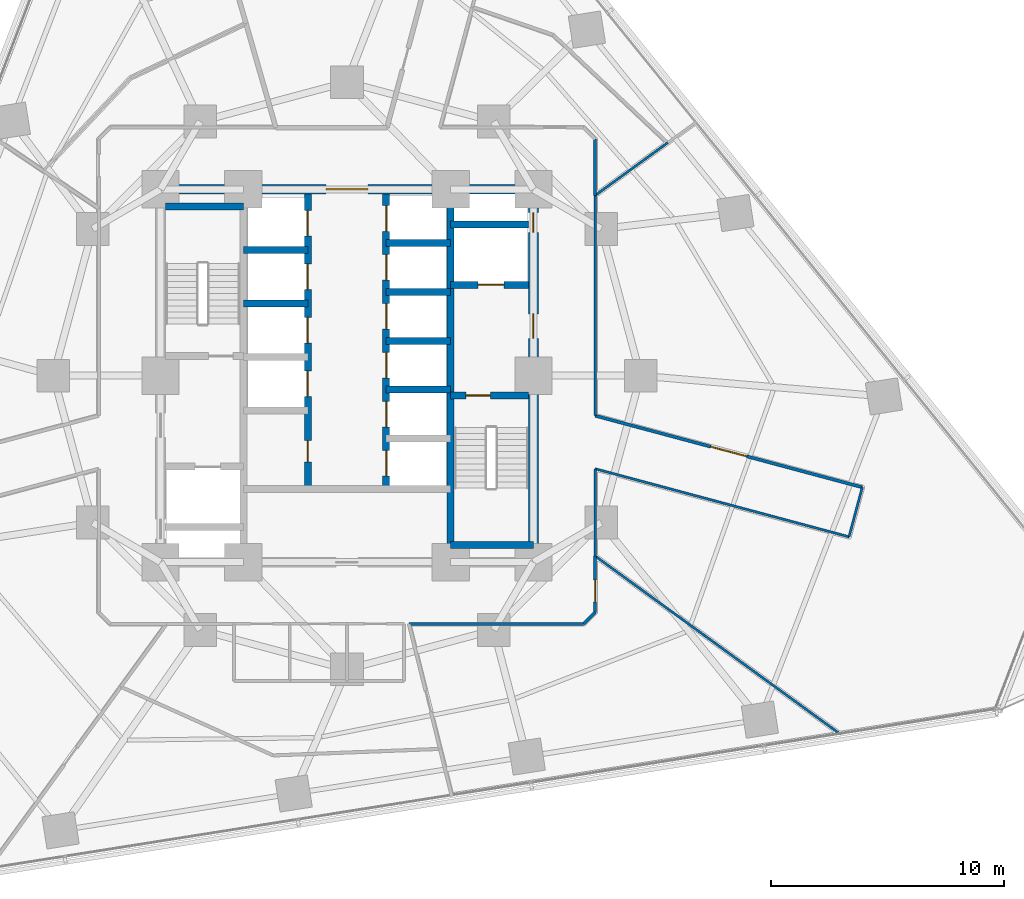
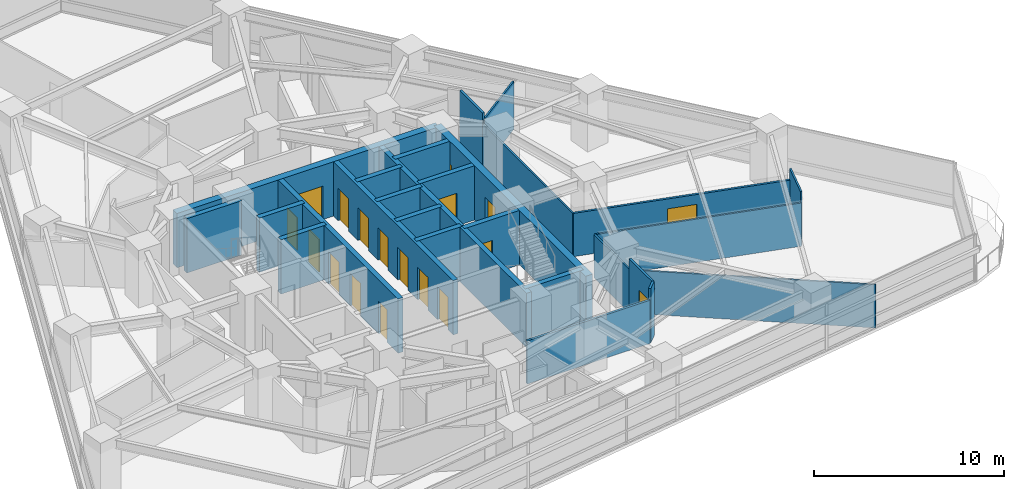
# One storey, part 8 of 13: 27 walls, 18 doors, 18 openings.
"""IFC4 building model written with IfcOpenShell, lengths in metres."""

from ifc_helpers import new_model, si_unit, direction, frame, frame_2d, origin, place, context, subcontext, project, spatial, rectangle, extrude, material, layer, layer_set, type_object, element, fill, save


model = new_model("IFC4")

# Units and contexts
model_context = context("Model", 3, precision=1e-05, world=origin(), true_north=direction((0.0, 1.0)))
body_context = subcontext(model_context, "Body", "Model", "MODEL_VIEW")
ifc_project = project(units=[si_unit("LENGTHUNIT", "METRE"), si_unit("AREAUNIT", "SQUARE_METRE"), si_unit("VOLUMEUNIT", "CUBIC_METRE"), si_unit("PLANEANGLEUNIT", "RADIAN"), si_unit("MASSUNIT", "GRAM", prefix="KILO")], contexts=[model_context])

# Site, building, storey
site_placement = place(None, origin())
site = spatial("IfcSite", under=ifc_project, at=site_placement, CompositionType="ELEMENT")
building_placement = place(site_placement, origin())
building = spatial("IfcBuilding", under=site, at=building_placement, Name="Terralouvre Media Tower", CompositionType="ELEMENT")
storey_placement = place(building_placement, frame((0.0, 0.0, 55.60009765625)))
storey = spatial("IfcBuildingStorey", under=building, at=storey_placement, Name="L13", CompositionType="ELEMENT", Elevation=55.60009765625)

# Walls
ifc_material_1 = material(Name="Concrete C50/60", Category="concrete")
ifc_layer_1 = layer(ifc_material_1, 0.300048828125, Name="Core Internal Shaft Wall CW-300")
ifc_layer_set_1 = layer_set([ifc_layer_1], Name="Concrete C50/60")
wall_type_1 = type_object("IfcWallType", Name="Core Internal Shaft Wall CW-300", PredefinedType="SHEAR", material=ifc_layer_set_1)
wall_1_placement = place(storey_placement, frame((4.449951171875, -7.7900390625, 0.0), z_axis=(0.0, 0.0, 1.0), x_axis=(0.0, 1.0, 0.0)))
element("IfcWall", 1, at=wall_1_placement, inside=storey, type_object=wall_type_1, Name="L13 Core Shaft Wall SPE", PredefinedType="SHEAR", context=body_context, shape_type="SweptSolid", body=[
    extrude(rectangle(XDim=15.580078125, YDim=0.300048828125, at=frame_2d((7.7900390625, 0.0))), origin(), (0.0, 0.0, 1.0), 3.5),
])
wall_2_placement = place(storey_placement, frame((-7.7900390625, 7.260009765625, 0.0), z_axis=(0.0, 0.0, 1.0), x_axis=(1.0, 0.0, 0.0)))
element("IfcWall", 2, at=wall_2_placement, inside=storey, type_object=wall_type_1, Name="L13 Core Shaft Wall ST1F", PredefinedType="SHEAR", context=body_context, shape_type="SweptSolid", body=[
    extrude(rectangle(XDim=3.340087890625, YDim=0.300048828125, at=frame_2d((1.669921875, 0.0))), origin(), (0.0, 0.0, 1.0), 3.5),
])

# Wall, opening, door
wall_3_placement = place(storey_placement, frame((4.449951171875, -0.85009765625, 0.0), z_axis=(0.0, 0.0, 1.0), x_axis=(1.0, 0.0, 0.0)))
wall_3 = element("IfcWall", 3, at=wall_3_placement, inside=storey, type_object=wall_type_1, Name="L13 Core Shaft Wall ST2D", PredefinedType="SHEAR", context=body_context, shape_type="SweptSolid", body=[
    extrude(rectangle(XDim=3.340087890625, YDim=0.300048828125, at=frame_2d((1.669921875, 0.0))), origin(), (0.0, 0.0, 1.0), 3.5),
])
opening_1_placement = place(wall_3_placement, frame((0.64990234375, 0.0, 0.0)))
opening_1 = element("IfcOpeningElement", 4, at=opening_1_placement, cuts=wall_3, Name="Opening FD-01-105X215", PredefinedType="OPENING", context=body_context, shape_type="SweptSolid", body=[
    extrude(rectangle(XDim=1.050048828125, YDim=2.14990234375, at=frame_2d((0.52490234375, 1.074951171875))), frame((0.0, 0.159912109375, 0.0), z_axis=(0.0, -1.0, 0.0), x_axis=(1.0, 0.0, 0.0)), (0.0, 0.0, 1.0), 0.320068359375),
])
ifc_material_2 = material(Name="Galvanised steel fire-resisting leaf", Category="steel")
door_type_1 = type_object("IfcDoorType", Name="Stair and Firefighting Lobby Fire Door FD-01 (1050x2150)", OperationType="NOTDEFINED", PredefinedType="DOOR", material=ifc_material_2)
door_1_placement = place(opening_1_placement, origin())
door_1 = element("IfcDoor", 5, at=door_1_placement, inside=storey, type_object=door_type_1, Name="L13 ST-02 Exit Stair Door", OperationType="SINGLE_SWING_RIGHT", OverallHeight=2.14990234375, OverallWidth=1.050048828125, PredefinedType="DOOR", context=body_context, shape_type="SweptSolid", body=[
    extrude(rectangle(XDim=1.050048828125, YDim=2.14990234375, at=frame_2d((0.52490234375, 1.074951171875))), frame((0.0, 0.02490234375, 0.0), z_axis=(0.0, -1.0, 0.0), x_axis=(1.0, 0.0, 0.0)), (0.0, 0.0, 1.0), 0.050048828125),
])
fill(opening_1, door_1)

# Wall
wall_4_placement = place(storey_placement, frame((4.449951171875, -7.260009765625, 0.0), z_axis=(0.0, 0.0, 1.0), x_axis=(1.0, 0.0, 0.0)))
element("IfcWall", 6, at=wall_4_placement, inside=storey, type_object=wall_type_1, Name="L13 Core Shaft Wall ST2F", PredefinedType="SHEAR", context=body_context, shape_type="SweptSolid", body=[
    extrude(rectangle(XDim=3.550048828125, YDim=0.300048828125, at=frame_2d((1.77490234375, 0.0))), origin(), (0.0, 0.0, 1.0), 3.5),
])

# Wall, opening, door
wall_5_placement = place(storey_placement, frame((4.449951171875, 3.89990234375, 0.0), z_axis=(0.0, 0.0, 1.0), x_axis=(1.0, 0.0, 0.0)))
wall_5 = element("IfcWall", 7, at=wall_5_placement, inside=storey, type_object=wall_type_1, Name="L13 Core Shaft Wall FF2S", PredefinedType="SHEAR", context=body_context, shape_type="SweptSolid", body=[
    extrude(rectangle(XDim=3.340087890625, YDim=0.300048828125, at=frame_2d((1.669921875, 0.0))), origin(), (0.0, 0.0, 1.0), 3.5),
])
opening_2_placement = place(wall_5_placement, frame((1.179931640625, 0.0, 0.0)))
opening_2 = element("IfcOpeningElement", 8, at=opening_2_placement, cuts=wall_5, Name="Opening LD-FF", PredefinedType="OPENING", context=body_context, shape_type="SweptSolid", body=[
    extrude(rectangle(XDim=1.10009765625, YDim=2.10009765625, at=frame_2d((0.550048828125, 1.050048828125))), frame((0.0, 0.159912109375, 0.0), z_axis=(0.0, -1.0, 0.0), x_axis=(1.0, 0.0, 0.0)), (0.0, 0.0, 1.0), 0.320068359375),
])
ifc_material_3 = material(Name="Stainless steel 316 handrail and balustrade", Category="steel")
door_type_2 = type_object("IfcDoorType", Name="Firefighting Lift Sliding Landing Door LD-FF", OperationType="SLIDING_TO_LEFT", PredefinedType="DOOR", material=ifc_material_3)
door_2_placement = place(opening_2_placement, origin())
door_2 = element("IfcDoor", 9, at=door_2_placement, inside=storey, type_object=door_type_2, Name="L13 Firefighting Lift FFL-02 Landing Door", OperationType="SLIDING_TO_LEFT", OverallHeight=2.10009765625, OverallWidth=1.10009765625, PredefinedType="DOOR", context=body_context, shape_type="SweptSolid", body=[
    extrude(rectangle(XDim=1.10009765625, YDim=2.10009765625, at=frame_2d((0.550048828125, 1.050048828125))), frame((0.0, 0.02490234375, 0.0), z_axis=(0.0, -1.0, 0.0), x_axis=(1.0, 0.0, 0.0)), (0.0, 0.0, 1.0), 0.050048828125),
])
fill(opening_2, door_2)

# Wall
wall_6_placement = place(storey_placement, frame((4.449951171875, 6.5, 0.0), z_axis=(0.0, 0.0, 1.0), x_axis=(1.0, 0.0, 0.0)))
element("IfcWall", 10, at=wall_6_placement, inside=storey, type_object=wall_type_1, Name="L13 Core Shaft Wall FF2N", PredefinedType="SHEAR", context=body_context, shape_type="SweptSolid", body=[
    extrude(rectangle(XDim=3.340087890625, YDim=0.300048828125, at=frame_2d((1.669921875, 0.0))), origin(), (0.0, 0.0, 1.0), 3.5),
])

# Wall, openings, doors
wall_7_placement = place(storey_placement, frame((-1.679931640625, -4.85009765625, 0.0), z_axis=(0.0, 0.0, 1.0), x_axis=(0.0, 1.0, 0.0)))
wall_7 = element("IfcWall", 11, at=wall_7_placement, inside=storey, type_object=wall_type_1, Name="L13 Core Shaft Wall LBW", PredefinedType="SHEAR", context=body_context, shape_type="SweptSolid", body=[
    extrude(rectangle(XDim=12.64013671875, YDim=0.300048828125, at=frame_2d((6.320068359375, 0.0))), origin(), (0.0, 0.0, 1.0), 3.5),
])
opening_3_placement = place(wall_7_placement, frame((3.949951171875, 0.0, 0.0)))
opening_3 = element("IfcOpeningElement", 12, at=opening_3_placement, cuts=wall_7, Name="Opening LD-PL", PredefinedType="OPENING", context=body_context, shape_type="SweptSolid", body=[
    extrude(rectangle(XDim=1.10009765625, YDim=2.10009765625, at=frame_2d((0.550048828125, 1.050048828125))), frame((0.0, 0.159912109375, 0.0), z_axis=(0.0, -1.0, 0.0), x_axis=(1.0, 0.0, 0.0)), (0.0, 0.0, 1.0), 0.320068359375),
])
opening_4_placement = place(wall_7_placement, frame((6.25, 0.0, 0.0)))
opening_4 = element("IfcOpeningElement", 13, at=opening_4_placement, cuts=wall_7, Name="Opening LD-PL", PredefinedType="OPENING", context=body_context, shape_type="SweptSolid", body=[
    extrude(rectangle(XDim=1.10009765625, YDim=2.10009765625, at=frame_2d((0.550048828125, 1.050048828125))), frame((0.0, 0.159912109375, 0.0), z_axis=(0.0, -1.0, 0.0), x_axis=(1.0, 0.0, 0.0)), (0.0, 0.0, 1.0), 0.320068359375),
])
opening_5_placement = place(wall_7_placement, frame((8.550048828125, 0.0, 0.0)))
opening_5 = element("IfcOpeningElement", 14, at=opening_5_placement, cuts=wall_7, Name="Opening LD-PL", PredefinedType="OPENING", context=body_context, shape_type="SweptSolid", body=[
    extrude(rectangle(XDim=1.10009765625, YDim=2.10009765625, at=frame_2d((0.550048828125, 1.050048828125))), frame((0.0, 0.159912109375, 0.0), z_axis=(0.0, -1.0, 0.0), x_axis=(1.0, 0.0, 0.0)), (0.0, 0.0, 1.0), 0.320068359375),
])
opening_6_placement = place(wall_7_placement, frame((10.85009765625, 0.0, 0.0)))
opening_6 = element("IfcOpeningElement", 15, at=opening_6_placement, cuts=wall_7, Name="Opening LD-PL", PredefinedType="OPENING", context=body_context, shape_type="SweptSolid", body=[
    extrude(rectangle(XDim=1.10009765625, YDim=2.10009765625, at=frame_2d((0.550048828125, 1.050048828125))), frame((0.0, 0.159912109375, 0.0), z_axis=(0.0, -1.0, 0.0), x_axis=(1.0, 0.0, 0.0)), (0.0, 0.0, 1.0), 0.320068359375),
])
opening_7_placement = place(wall_7_placement, frame((1.14990234375, 0.0, 0.0)))
opening_7 = element("IfcOpeningElement", 16, at=opening_7_placement, cuts=wall_7, Name="Opening FD-05-92X210", PredefinedType="OPENING", context=body_context, shape_type="SweptSolid", body=[
    extrude(rectangle(XDim=0.919921875, YDim=2.10009765625, at=frame_2d((0.4599609375, 1.050048828125))), frame((0.0, 0.159912109375, 0.0), z_axis=(0.0, -1.0, 0.0), x_axis=(1.0, 0.0, 0.0)), (0.0, 0.0, 1.0), 0.320068359375),
])
ifc_material_4 = material(Name="Galvanised steel fire-resisting leaf", Category="steel")
door_type_3 = type_object("IfcDoorType", Name="Core Accessible Closet Fire Door FD-05 (920x2100)", OperationType="NOTDEFINED", PredefinedType="DOOR", material=ifc_material_4)
door_3_placement = place(opening_7_placement, origin())
door_3 = element("IfcDoor", 17, at=door_3_placement, inside=storey, type_object=door_type_3, Name="L13 Core Cleaners Closet Door", OperationType="SINGLE_SWING_LEFT", OverallHeight=2.10009765625, OverallWidth=0.919921875, PredefinedType="DOOR", context=body_context, shape_type="SweptSolid", body=[
    extrude(rectangle(XDim=0.919921875, YDim=2.10009765625, at=frame_2d((0.4599609375, 1.050048828125))), frame((0.0, 0.02490234375, 0.0), z_axis=(0.0, -1.0, 0.0), x_axis=(1.0, 0.0, 0.0)), (0.0, 0.0, 1.0), 0.050048828125),
])
fill(opening_7, door_3)
ifc_material_5 = material(Name="Stainless steel 316 handrail and balustrade", Category="steel")
door_type_4 = type_object("IfcDoorType", Name="Passenger Lift Sliding Landing Door LD-PL", OperationType="SLIDING_TO_LEFT", PredefinedType="DOOR", material=ifc_material_5)
door_4_placement = place(opening_3_placement, origin())
door_4 = element("IfcDoor", 18, at=door_4_placement, inside=storey, type_object=door_type_4, Name="L13 Low-Rise Lift PL-L1 Landing Door", OperationType="SLIDING_TO_LEFT", OverallHeight=2.10009765625, OverallWidth=1.10009765625, PredefinedType="DOOR", context=body_context, shape_type="SweptSolid", body=[
    extrude(rectangle(XDim=1.10009765625, YDim=2.10009765625, at=frame_2d((0.550048828125, 1.050048828125))), frame((0.0, 0.02490234375, 0.0), z_axis=(0.0, -1.0, 0.0), x_axis=(1.0, 0.0, 0.0)), (0.0, 0.0, 1.0), 0.050048828125),
])
fill(opening_3, door_4)
door_5_placement = place(opening_4_placement, origin())
door_5 = element("IfcDoor", 19, at=door_5_placement, inside=storey, type_object=door_type_4, Name="L13 Low-Rise Lift PL-L2 Landing Door", OperationType="SLIDING_TO_LEFT", OverallHeight=2.10009765625, OverallWidth=1.10009765625, PredefinedType="DOOR", context=body_context, shape_type="SweptSolid", body=[
    extrude(rectangle(XDim=1.10009765625, YDim=2.10009765625, at=frame_2d((0.550048828125, 1.050048828125))), frame((0.0, 0.02490234375, 0.0), z_axis=(0.0, -1.0, 0.0), x_axis=(1.0, 0.0, 0.0)), (0.0, 0.0, 1.0), 0.050048828125),
])
fill(opening_4, door_5)
door_6_placement = place(opening_5_placement, origin())
door_6 = element("IfcDoor", 20, at=door_6_placement, inside=storey, type_object=door_type_4, Name="L13 Low-Rise Lift PL-L3 Landing Door", OperationType="SLIDING_TO_LEFT", OverallHeight=2.10009765625, OverallWidth=1.10009765625, PredefinedType="DOOR", context=body_context, shape_type="SweptSolid", body=[
    extrude(rectangle(XDim=1.10009765625, YDim=2.10009765625, at=frame_2d((0.550048828125, 1.050048828125))), frame((0.0, 0.02490234375, 0.0), z_axis=(0.0, -1.0, 0.0), x_axis=(1.0, 0.0, 0.0)), (0.0, 0.0, 1.0), 0.050048828125),
])
fill(opening_5, door_6)
door_7_placement = place(opening_6_placement, origin())
door_7 = element("IfcDoor", 21, at=door_7_placement, inside=storey, type_object=door_type_4, Name="L13 Low-Rise Lift PL-L4 Landing Door", OperationType="SLIDING_TO_LEFT", OverallHeight=2.10009765625, OverallWidth=1.10009765625, PredefinedType="DOOR", context=body_context, shape_type="SweptSolid", body=[
    extrude(rectangle(XDim=1.10009765625, YDim=2.10009765625, at=frame_2d((0.550048828125, 1.050048828125))), frame((0.0, 0.02490234375, 0.0), z_axis=(0.0, -1.0, 0.0), x_axis=(1.0, 0.0, 0.0)), (0.0, 0.0, 1.0), 0.050048828125),
])
fill(opening_6, door_7)

wall_8_placement = place(storey_placement, frame((1.679931640625, -4.85009765625, 0.0), z_axis=(0.0, 0.0, 1.0), x_axis=(0.0, 1.0, 0.0)))
wall_8 = element("IfcWall", 22, at=wall_8_placement, inside=storey, type_object=wall_type_1, Name="L13 Core Shaft Wall LBE", PredefinedType="SHEAR", context=body_context, shape_type="SweptSolid", body=[
    extrude(rectangle(XDim=12.64013671875, YDim=0.300048828125, at=frame_2d((6.320068359375, 0.0))), origin(), (0.0, 0.0, 1.0), 3.5),
])
opening_8_placement = place(wall_8_placement, frame((0.550048828125, 0.0, 0.0)))
opening_8 = element("IfcOpeningElement", 23, at=opening_8_placement, cuts=wall_8, Name="Opening LD-PL", PredefinedType="OPENING", context=body_context, shape_type="SweptSolid", body=[
    extrude(rectangle(XDim=1.10009765625, YDim=2.10009765625, at=frame_2d((0.550048828125, 1.050048828125))), frame((0.0, 0.159912109375, 0.0), z_axis=(0.0, -1.0, 0.0), x_axis=(1.0, 0.0, 0.0)), (0.0, 0.0, 1.0), 0.320068359375),
])
opening_9_placement = place(wall_8_placement, frame((2.64990234375, 0.0, 0.0)))
opening_9 = element("IfcOpeningElement", 24, at=opening_9_placement, cuts=wall_8, Name="Opening LD-PL", PredefinedType="OPENING", context=body_context, shape_type="SweptSolid", body=[
    extrude(rectangle(XDim=1.10009765625, YDim=2.10009765625, at=frame_2d((0.550048828125, 1.050048828125))), frame((0.0, 0.159912109375, 0.0), z_axis=(0.0, -1.0, 0.0), x_axis=(1.0, 0.0, 0.0)), (0.0, 0.0, 1.0), 0.320068359375),
])
opening_10_placement = place(wall_8_placement, frame((4.75, 0.0, 0.0)))
opening_10 = element("IfcOpeningElement", 25, at=opening_10_placement, cuts=wall_8, Name="Opening LD-PL", PredefinedType="OPENING", context=body_context, shape_type="SweptSolid", body=[
    extrude(rectangle(XDim=1.10009765625, YDim=2.10009765625, at=frame_2d((0.550048828125, 1.050048828125))), frame((0.0, 0.159912109375, 0.0), z_axis=(0.0, -1.0, 0.0), x_axis=(1.0, 0.0, 0.0)), (0.0, 0.0, 1.0), 0.320068359375),
])
opening_11_placement = place(wall_8_placement, frame((6.85009765625, 0.0, 0.0)))
opening_11 = element("IfcOpeningElement", 26, at=opening_11_placement, cuts=wall_8, Name="Opening LD-PL", PredefinedType="OPENING", context=body_context, shape_type="SweptSolid", body=[
    extrude(rectangle(XDim=1.10009765625, YDim=2.10009765625, at=frame_2d((0.550048828125, 1.050048828125))), frame((0.0, 0.159912109375, 0.0), z_axis=(0.0, -1.0, 0.0), x_axis=(1.0, 0.0, 0.0)), (0.0, 0.0, 1.0), 0.320068359375),
])
opening_12_placement = place(wall_8_placement, frame((8.949951171875, 0.0, 0.0)))
opening_12 = element("IfcOpeningElement", 27, at=opening_12_placement, cuts=wall_8, Name="Opening LD-PL", PredefinedType="OPENING", context=body_context, shape_type="SweptSolid", body=[
    extrude(rectangle(XDim=1.10009765625, YDim=2.10009765625, at=frame_2d((0.550048828125, 1.050048828125))), frame((0.0, 0.159912109375, 0.0), z_axis=(0.0, -1.0, 0.0), x_axis=(1.0, 0.0, 0.0)), (0.0, 0.0, 1.0), 0.320068359375),
])
opening_13_placement = place(wall_8_placement, frame((11.050048828125, 0.0, 0.0)))
opening_13 = element("IfcOpeningElement", 28, at=opening_13_placement, cuts=wall_8, Name="Opening LD-PL", PredefinedType="OPENING", context=body_context, shape_type="SweptSolid", body=[
    extrude(rectangle(XDim=1.10009765625, YDim=2.10009765625, at=frame_2d((0.550048828125, 1.050048828125))), frame((0.0, 0.159912109375, 0.0), z_axis=(0.0, -1.0, 0.0), x_axis=(1.0, 0.0, 0.0)), (0.0, 0.0, 1.0), 0.320068359375),
])
door_8_placement = place(opening_8_placement, origin())
door_8 = element("IfcDoor", 29, at=door_8_placement, inside=storey, type_object=door_type_4, Name="L13 High-Rise Lift PL-H1 Landing Door", OperationType="SLIDING_TO_LEFT", OverallHeight=2.10009765625, OverallWidth=1.10009765625, PredefinedType="DOOR", context=body_context, shape_type="SweptSolid", body=[
    extrude(rectangle(XDim=1.10009765625, YDim=2.10009765625, at=frame_2d((0.550048828125, 1.050048828125))), frame((0.0, 0.02490234375, 0.0), z_axis=(0.0, -1.0, 0.0), x_axis=(1.0, 0.0, 0.0)), (0.0, 0.0, 1.0), 0.050048828125),
])
fill(opening_8, door_8)
door_9_placement = place(opening_9_placement, origin())
door_9 = element("IfcDoor", 30, at=door_9_placement, inside=storey, type_object=door_type_4, Name="L13 High-Rise Lift PL-H2 Landing Door", OperationType="SLIDING_TO_LEFT", OverallHeight=2.10009765625, OverallWidth=1.10009765625, PredefinedType="DOOR", context=body_context, shape_type="SweptSolid", body=[
    extrude(rectangle(XDim=1.10009765625, YDim=2.10009765625, at=frame_2d((0.550048828125, 1.050048828125))), frame((0.0, 0.02490234375, 0.0), z_axis=(0.0, -1.0, 0.0), x_axis=(1.0, 0.0, 0.0)), (0.0, 0.0, 1.0), 0.050048828125),
])
fill(opening_9, door_9)
door_10_placement = place(opening_10_placement, origin())
door_10 = element("IfcDoor", 31, at=door_10_placement, inside=storey, type_object=door_type_4, Name="L13 High-Rise Lift PL-H3 Landing Door", OperationType="SLIDING_TO_LEFT", OverallHeight=2.10009765625, OverallWidth=1.10009765625, PredefinedType="DOOR", context=body_context, shape_type="SweptSolid", body=[
    extrude(rectangle(XDim=1.10009765625, YDim=2.10009765625, at=frame_2d((0.550048828125, 1.050048828125))), frame((0.0, 0.02490234375, 0.0), z_axis=(0.0, -1.0, 0.0), x_axis=(1.0, 0.0, 0.0)), (0.0, 0.0, 1.0), 0.050048828125),
])
fill(opening_10, door_10)
door_11_placement = place(opening_11_placement, origin())
door_11 = element("IfcDoor", 32, at=door_11_placement, inside=storey, type_object=door_type_4, Name="L13 Mid-Rise Lift PL-M1 Landing Door", OperationType="SLIDING_TO_LEFT", OverallHeight=2.10009765625, OverallWidth=1.10009765625, PredefinedType="DOOR", context=body_context, shape_type="SweptSolid", body=[
    extrude(rectangle(XDim=1.10009765625, YDim=2.10009765625, at=frame_2d((0.550048828125, 1.050048828125))), frame((0.0, 0.02490234375, 0.0), z_axis=(0.0, -1.0, 0.0), x_axis=(1.0, 0.0, 0.0)), (0.0, 0.0, 1.0), 0.050048828125),
])
fill(opening_11, door_11)
door_12_placement = place(opening_12_placement, origin())
door_12 = element("IfcDoor", 33, at=door_12_placement, inside=storey, type_object=door_type_4, Name="L13 Mid-Rise Lift PL-M2 Landing Door", OperationType="SLIDING_TO_LEFT", OverallHeight=2.10009765625, OverallWidth=1.10009765625, PredefinedType="DOOR", context=body_context, shape_type="SweptSolid", body=[
    extrude(rectangle(XDim=1.10009765625, YDim=2.10009765625, at=frame_2d((0.550048828125, 1.050048828125))), frame((0.0, 0.02490234375, 0.0), z_axis=(0.0, -1.0, 0.0), x_axis=(1.0, 0.0, 0.0)), (0.0, 0.0, 1.0), 0.050048828125),
])
fill(opening_12, door_12)
door_13_placement = place(opening_13_placement, origin())
door_13 = element("IfcDoor", 34, at=door_13_placement, inside=storey, type_object=door_type_4, Name="L13 Mid-Rise Lift PL-M3 Landing Door", OperationType="SLIDING_TO_LEFT", OverallHeight=2.10009765625, OverallWidth=1.10009765625, PredefinedType="DOOR", context=body_context, shape_type="SweptSolid", body=[
    extrude(rectangle(XDim=1.10009765625, YDim=2.10009765625, at=frame_2d((0.550048828125, 1.050048828125))), frame((0.0, 0.02490234375, 0.0), z_axis=(0.0, -1.0, 0.0), x_axis=(1.0, 0.0, 0.0)), (0.0, 0.0, 1.0), 0.050048828125),
])
fill(opening_13, door_13)

# Walls
for number, where, z_axis, x_axis, name in (
    (35, (-4.449951171875, 3.10009765625, 0.0), (0.0, 0.0, 1.0), (1.0, 0.0, 0.0), "L13 Core Shaft Wall PLLD2"),
    (36, (-4.449951171875, 5.39990234375, 0.0), (0.0, 0.0, 1.0), (1.0, 0.0, 0.0), "L13 Core Shaft Wall PLLD3"),
    (37, (1.679931640625, 1.5, 0.0), (0.0, 0.0, 1.0), (1.0, 0.0, 0.0), "L13 Core Shaft Wall PLMD0"),
    (38, (1.679931640625, 3.60009765625, 0.0), (0.0, 0.0, 1.0), (1.0, 0.0, 0.0), "L13 Core Shaft Wall PLMD1"),
    (39, (1.679931640625, 5.699951171875, 0.0), (0.0, 0.0, 1.0), (1.0, 0.0, 0.0), "L13 Core Shaft Wall PLMD2"),
    (40, (1.679931640625, -0.60009765625, 0.0), (0.0, 0.0, 1.0), (1.0, 0.0, 0.0), "L13 Core Shaft Wall PLHD2"),
):
    element("IfcWall", number, at=place(storey_placement, frame(where, z_axis=z_axis, x_axis=x_axis)), inside=storey, type_object=wall_type_1, Name=name, PredefinedType="SHEAR", context=body_context, shape_type="SweptSolid", body=[
        extrude(rectangle(XDim=2.77001953125, YDim=0.300048828125, at=frame_2d((1.385009765625, 0.0))), origin(), (0.0, 0.0, 1.0), 3.5),
    ])

# Wall, openings, doors
ifc_material_6 = material(Name="Concrete C60/75", Category="concrete")
ifc_layer_2 = layer(ifc_material_6, 0.419921875, Name="Core Reinforced Concrete Shear Wall CW-420")
ifc_layer_set_2 = layer_set([ifc_layer_2], Name="Concrete C60/75")
wall_type_2 = type_object("IfcWallType", Name="Core Reinforced Concrete Shear Wall CW-420", PredefinedType="SHEAR", material=ifc_layer_set_2)
wall_9_placement = place(storey_placement, frame((8.0, -8.0, 0.0), z_axis=(0.0, 0.0, 1.0), x_axis=(0.0, 1.0, 0.0)))
wall_9 = element("IfcWall", 41, at=wall_9_placement, inside=storey, type_object=wall_type_2, Name="L13 E Core Shear Wall", PredefinedType="SHEAR", context=body_context, shape_type="SweptSolid", body=[
    extrude(rectangle(XDim=16.0, YDim=0.419921875, at=frame_2d((8.0, 0.0))), origin(), (0.0, 0.0, 1.0), 3.5),
])
opening_14_placement = place(wall_9_placement, frame((9.60009765625, 0.0, 0.0)))
opening_14 = element("IfcOpeningElement", 42, at=opening_14_placement, cuts=wall_9, Name="Opening FD-01-105X215", PredefinedType="OPENING", context=body_context, shape_type="SweptSolid", body=[
    extrude(rectangle(XDim=1.050048828125, YDim=2.14990234375, at=frame_2d((0.52490234375, 1.074951171875))), frame((0.0, 0.219970703125, 0.0), z_axis=(0.0, -1.0, 0.0), x_axis=(1.0, 0.0, 0.0)), (0.0, 0.0, 1.0), 0.43994140625),
])
opening_15_placement = place(wall_9_placement, frame((14.148193359375, 0.0, 0.0)))
opening_15 = element("IfcOpeningElement", 43, at=opening_15_placement, cuts=wall_9, Name="Opening TD-R1", PredefinedType="OPENING", context=body_context, shape_type="SweptSolid", body=[
    extrude(rectangle(XDim=0.85009765625, YDim=2.02001953125, at=frame_2d((0.425048828125, 1.010009765625))), frame((0.0, 0.219970703125, 0.0), z_axis=(0.0, -1.0, 0.0), x_axis=(1.0, 0.0, 0.0)), (0.0, 0.0, 1.0), 0.43994140625),
])
ifc_material_7 = material(Name="Galvanised steel fire-resisting leaf", Category="steel")
door_type_5 = type_object("IfcDoorType", Name="Riser Inspection Access Trapdoor TD-R1", OperationType="NOTDEFINED", PredefinedType="TRAPDOOR", material=ifc_material_7)
door_14_placement = place(opening_15_placement, origin())
door_14 = element("IfcDoor", 44, at=door_14_placement, inside=storey, type_object=door_type_5, Name="L13 East Comms Riser Access Trapdoor", OperationType="SINGLE_SWING_RIGHT", OverallHeight=2.02001953125, OverallWidth=0.85009765625, PredefinedType="TRAPDOOR", context=body_context, shape_type="SweptSolid", body=[
    extrude(rectangle(XDim=0.85009765625, YDim=2.02001953125, at=frame_2d((0.425048828125, 1.010009765625))), frame((0.0, 0.02490234375, 0.0), z_axis=(0.0, -1.0, 0.0), x_axis=(1.0, 0.0, 0.0)), (0.0, 0.0, 1.0), 0.050048828125),
])
fill(opening_15, door_14)
door_15_placement = place(opening_14_placement, origin())
door_15 = element("IfcDoor", 45, at=door_15_placement, inside=storey, type_object=door_type_1, Name="L13 East Firefighting Lobby Entry Door", OperationType="SINGLE_SWING_LEFT", OverallHeight=2.14990234375, OverallWidth=1.050048828125, PredefinedType="DOOR", context=body_context, shape_type="SweptSolid", body=[
    extrude(rectangle(XDim=1.050048828125, YDim=2.14990234375, at=frame_2d((0.52490234375, 1.074951171875))), frame((0.0, 0.02490234375, 0.0), z_axis=(0.0, -1.0, 0.0), x_axis=(1.0, 0.0, 0.0)), (0.0, 0.0, 1.0), 0.050048828125),
])
fill(opening_14, door_15)

# Wall, opening, door
wall_10_placement = place(storey_placement, frame((-8.0, 8.0, 0.0), z_axis=(0.0, 0.0, 1.0), x_axis=(1.0, 0.0, 0.0)))
wall_10 = element("IfcWall", 46, at=wall_10_placement, inside=storey, type_object=wall_type_2, Name="L13 N Core Shear Wall", PredefinedType="SHEAR", context=body_context, shape_type="SweptSolid", body=[
    extrude(rectangle(XDim=16.0, YDim=0.419921875, at=frame_2d((8.0, 0.0))), origin(), (0.0, 0.0, 1.0), 3.5),
])
opening_16_placement = place(wall_10_placement, frame((7.10009765625, 0.0, 0.0)))
opening_16 = element("IfcOpeningElement", 47, at=opening_16_placement, cuts=wall_10, Name="Opening FD-03", PredefinedType="OPENING", context=body_context, shape_type="SweptSolid", body=[
    extrude(rectangle(XDim=1.800048828125, YDim=2.14990234375, at=frame_2d((0.89990234375, 1.074951171875))), frame((0.0, 0.219970703125, 0.0), z_axis=(0.0, -1.0, 0.0), x_axis=(1.0, 0.0, 0.0)), (0.0, 0.0, 1.0), 0.43994140625),
])
ifc_material_8 = material(Name="Galvanised steel fire-resisting leaf", Category="steel")
door_type_6 = type_object("IfcDoorType", Name="Corridor Smoke-Control Double Door FD-03", OperationType="DOUBLE_DOOR_SINGLE_SWING", PredefinedType="DOOR", material=ifc_material_8)
door_16_placement = place(opening_16_placement, origin())
door_16 = element("IfcDoor", 48, at=door_16_placement, inside=storey, type_object=door_type_6, Name="L13 Central Lift Lobby Portal Door", OperationType="DOUBLE_DOOR_SINGLE_SWING", OverallHeight=2.14990234375, OverallWidth=1.800048828125, PredefinedType="DOOR", context=body_context, shape_type="SweptSolid", body=[
    extrude(rectangle(XDim=1.800048828125, YDim=2.14990234375, at=frame_2d((0.89990234375, 1.074951171875))), frame((0.0, 0.02490234375, 0.0), z_axis=(0.0, -1.0, 0.0), x_axis=(1.0, 0.0, 0.0)), (0.0, 0.0, 1.0), 0.050048828125),
])
fill(opening_16, door_16)

# Walls
ifc_material_9 = material(Name="Low-iron laminated double glazing with solar-control coating", Category="glass")
ifc_layer_3 = layer(ifc_material_9, 0.10009765625, Name="Demountable Glazed Office Partition PT-GL100")
ifc_layer_set_3 = layer_set([ifc_layer_3], Name="Low-iron laminated double glazing with solar-control coating")
wall_type_3 = type_object("IfcWallType", Name="Demountable Glazed Office Partition PT-GL100", PredefinedType="MOVABLE", material=ifc_layer_set_3)
wall_11_placement = place(storey_placement, frame((10.64990234375, -7.738037109375, 0.0), z_axis=(0.0, 0.0, 1.0), x_axis=(0.0, 1.0, 0.0)))
element("IfcWall", 49, at=wall_11_placement, inside=storey, type_object=wall_type_3, Name="L13 Interior Partition 001", PredefinedType="MOVABLE", context=body_context, shape_type="SweptSolid", body=[
    extrude(rectangle(XDim=3.74609375, YDim=0.10009765625, at=frame_2d((1.873046875, 0.0))), origin(), (0.0, 0.0, 1.0), 2.784912109375),
])
wall_12_placement = place(storey_placement, frame((10.64990234375, -3.991943359375, 0.0), z_axis=(0.0, 0.0, 1.0), x_axis=(0.965906888357, -0.258889712088, 0.0)))
element("IfcWall", 50, at=wall_12_placement, inside=storey, type_object=wall_type_3, Name="L13 Interior Partition 002", PredefinedType="MOVABLE", context=body_context, shape_type="SweptSolid", body=[
    extrude(rectangle(XDim=11.279541015625, YDim=0.10009765625, at=frame_2d((5.6396484375, 0.0))), origin(), (0.0, 0.0, 1.0), 2.784912109375),
])
wall_13_placement = place(storey_placement, frame((21.544921875, -6.912109375, 0.0), z_axis=(0.0, 0.0, 1.0), x_axis=(0.259105843213, 0.965848933329, 0.0)))
element("IfcWall", 51, at=wall_13_placement, inside=storey, type_object=wall_type_3, Name="L13 Interior Partition 003", PredefinedType="MOVABLE", context=body_context, shape_type="SweptSolid", body=[
    extrude(rectangle(XDim=2.2001953125, YDim=0.10009765625, at=frame_2d((1.10009765625, 0.0))), origin(), (0.0, 0.0, 1.0), 3.5),
])
wall_14_placement = place(storey_placement, frame((10.64990234375, -1.715087890625, 0.0), z_axis=(0.0, 0.0, 1.0), x_axis=(0.0, 1.0, 0.0)))
element("IfcWall", 52, at=wall_14_placement, inside=storey, type_object=wall_type_3, Name="L13 Interior Partition 005", PredefinedType="MOVABLE", context=body_context, shape_type="SweptSolid", body=[
    extrude(rectangle(XDim=9.453125, YDim=0.10009765625, at=frame_2d((4.7265625, 0.0))), origin(), (0.0, 0.0, 1.0), 2.784912109375),
])
wall_15_placement = place(storey_placement, frame((13.760986328125, 9.998046875, 0.0), z_axis=(0.0, 0.0, 1.0), x_axis=(-0.809057190408, -0.587729923221, 0.0)))
element("IfcWall", 53, at=wall_15_placement, inside=storey, type_object=wall_type_3, Name="L13 Interior Partition 032", PredefinedType="MOVABLE", context=body_context, shape_type="SweptSolid", body=[
    extrude(rectangle(XDim=3.84521484375, YDim=0.10009765625, at=frame_2d((1.922607421875, 0.0))), origin(), (0.0, 0.0, 1.0), 3.0849609375),
])
wall_16_placement = place(storey_placement, frame((10.64990234375, -7.738037109375, 0.0), z_axis=(0.0, 0.0, 1.0), x_axis=(0.809048025811, -0.587742538814, 0.0)))
element("IfcWall", 54, at=wall_16_placement, inside=storey, type_object=wall_type_3, Name="L13 Interior Partition 034", PredefinedType="MOVABLE", context=body_context, shape_type="SweptSolid", body=[
    extrude(rectangle(XDim=13.025390625, YDim=0.10009765625, at=frame_2d((6.5126953125, 0.0))), origin(), (0.0, 0.0, 1.0), 2.784912109375),
])

# Wall, opening, door
ifc_material_10 = material(Name="Fire-rated gypsum board drywall partition")
ifc_layer_4 = layer(ifc_material_10, 0.135009765625, Name="Newsroom Acoustic Partition PT-135")
ifc_layer_set_4 = layer_set([ifc_layer_4], Name="Fire-rated gypsum board drywall partition")
wall_type_4 = type_object("IfcWallType", Name="Newsroom Acoustic Partition PT-135", PredefinedType="PARTITIONING", material=ifc_layer_set_4)
wall_17_placement = place(storey_placement, frame((22.114990234375, -4.787109375, 0.0), z_axis=(0.0, 0.0, 1.0), x_axis=(-0.965926659449, 0.258815935688, 0.0)))
wall_17 = element("IfcWall", 55, at=wall_17_placement, inside=storey, type_object=wall_type_4, Name="L13 Interior Partition 004", PredefinedType="PARTITIONING", context=body_context, shape_type="SweptSolid", body=[
    extrude(rectangle(XDim=11.86962890625, YDim=0.135009765625, at=frame_2d((5.934814453125, 0.0))), origin(), (0.0, 0.0, 1.0), 2.784912109375),
])
opening_17_placement = place(wall_17_placement, frame((5.134765625, 0.0, 0.0)))
opening_17 = element("IfcOpeningElement", 56, at=opening_17_placement, cuts=wall_17, Name="Opening ID-04-160X215", PredefinedType="OPENING", context=body_context, shape_type="SweptSolid", body=[
    extrude(rectangle(XDim=1.60009765625, YDim=2.14990234375, at=frame_2d((0.800048828125, 1.074951171875))), frame((0.0, 0.077392578125, 0.0), z_axis=(0.0, -1.0, 0.0), x_axis=(1.0, 0.0, 0.0)), (0.0, 0.0, 1.0), 0.155029296875),
])
ifc_material_11 = material(Name="Engineered hardwood acoustic timber leaf", Category="wood")
door_type_7 = type_object("IfcDoorType", Name="Conference Double Acoustic Door ID-04 (1600x2150)", OperationType="DOUBLE_DOOR_SINGLE_SWING", PredefinedType="DOOR", material=ifc_material_11)
door_17_placement = place(opening_17_placement, origin())
door_17 = element("IfcDoor", 57, at=door_17_placement, inside=storey, type_object=door_type_7, Name="L13 Design Critique Boardroom 1 Door", OperationType="DOUBLE_DOOR_SINGLE_SWING", OverallHeight=2.14990234375, OverallWidth=1.60009765625, PredefinedType="DOOR", context=body_context, shape_type="SweptSolid", body=[
    extrude(rectangle(XDim=1.60009765625, YDim=2.14990234375, at=frame_2d((0.800048828125, 1.074951171875))), frame((0.0, 0.02490234375, 0.0), z_axis=(0.0, -1.0, 0.0), x_axis=(1.0, 0.0, 0.0)), (0.0, 0.0, 1.0), 0.050048828125),
])
fill(opening_17, door_17)

# Walls
wall_18_placement = place(storey_placement, frame((10.64990234375, 7.738037109375, 0.0), z_axis=(0.0, 0.0, 1.0), x_axis=(0.0, 1.0, 0.0)))
element("IfcWall", 58, at=wall_18_placement, inside=storey, type_object=wall_type_4, Name="L13 Interior Partition 013", PredefinedType="PARTITIONING", context=body_context, shape_type="SweptSolid", body=[
    extrude(rectangle(XDim=2.411865234375, YDim=0.135009765625, at=frame_2d((1.2060546875, 0.0))), origin(), (0.0, 0.0, 1.0), 3.5),
])
wall_19_placement = place(storey_placement, frame((2.655029296875, -10.64990234375, 0.0), z_axis=(0.0, 0.0, 1.0), x_axis=(1.0, 0.0, 0.0)))
element("IfcWall", 59, at=wall_19_placement, inside=storey, type_object=wall_type_4, Name="L13 Interior Partition 026", PredefinedType="PARTITIONING", context=body_context, shape_type="SweptSolid", body=[
    extrude(rectangle(XDim=7.494873046875, YDim=0.135009765625, at=frame_2d((3.74755859375, 0.0))), origin(), (0.0, 0.0, 1.0), 2.784912109375),
])
wall_20_placement = place(storey_placement, frame((10.14990234375, -10.64990234375, 0.0), z_axis=(0.0, 0.0, 1.0), x_axis=(0.707106781187, 0.707106781187, 0.0)))
element("IfcWall", 60, at=wall_20_placement, inside=storey, type_object=wall_type_4, Name="L13 Interior Partition 027", PredefinedType="PARTITIONING", context=body_context, shape_type="SweptSolid", body=[
    extrude(rectangle(XDim=0.70703125, YDim=0.135009765625, at=frame_2d((0.353515625, 0.0))), origin(), (0.0, 0.0, 1.0), 3.5),
])

# Wall, opening, door
wall_21_placement = place(storey_placement, frame((10.64990234375, -10.14990234375, 0.0), z_axis=(0.0, 0.0, 1.0), x_axis=(0.0, 1.0, 0.0)))
wall_21 = element("IfcWall", 61, at=wall_21_placement, inside=storey, type_object=wall_type_4, Name="L13 Interior Partition 028", PredefinedType="PARTITIONING", context=body_context, shape_type="SweptSolid", body=[
    extrude(rectangle(XDim=2.411865234375, YDim=0.135009765625, at=frame_2d((1.2060546875, 0.0))), origin(), (0.0, 0.0, 1.0), 3.5),
])
opening_18_placement = place(wall_21_placement, frame((0.441650390625, 0.0, 0.0)))
opening_18 = element("IfcOpeningElement", 62, at=opening_18_placement, cuts=wall_21, Name="Opening ID-02-95X210", PredefinedType="OPENING", context=body_context, shape_type="SweptSolid", body=[
    extrude(rectangle(XDim=0.949951171875, YDim=2.10009765625, at=frame_2d((0.47509765625, 1.050048828125))), frame((0.0, 0.077392578125, 0.0), z_axis=(0.0, -1.0, 0.0), x_axis=(1.0, 0.0, 0.0)), (0.0, 0.0, 1.0), 0.155029296875),
])
ifc_material_12 = material(Name="Engineered hardwood acoustic timber leaf", Category="wood")
door_type_8 = type_object("IfcDoorType", Name="Office and Meeting Room Door ID-02 (950x2100)", OperationType="NOTDEFINED", PredefinedType="DOOR", material=ifc_material_12)
door_18_placement = place(opening_18_placement, origin())
door_18 = element("IfcDoor", 63, at=door_18_placement, inside=storey, type_object=door_type_8, Name="L13 Analytics Team Office 8 Door", OperationType="SINGLE_SWING_RIGHT", OverallHeight=2.10009765625, OverallWidth=0.949951171875, PredefinedType="DOOR", context=body_context, shape_type="SweptSolid", body=[
    extrude(rectangle(XDim=0.949951171875, YDim=2.10009765625, at=frame_2d((0.47509765625, 1.050048828125))), frame((0.0, 0.02490234375, 0.0), z_axis=(0.0, -1.0, 0.0), x_axis=(1.0, 0.0, 0.0)), (0.0, 0.0, 1.0), 0.050048828125),
])
fill(opening_18, door_18)

save(model, "model.ifc")
